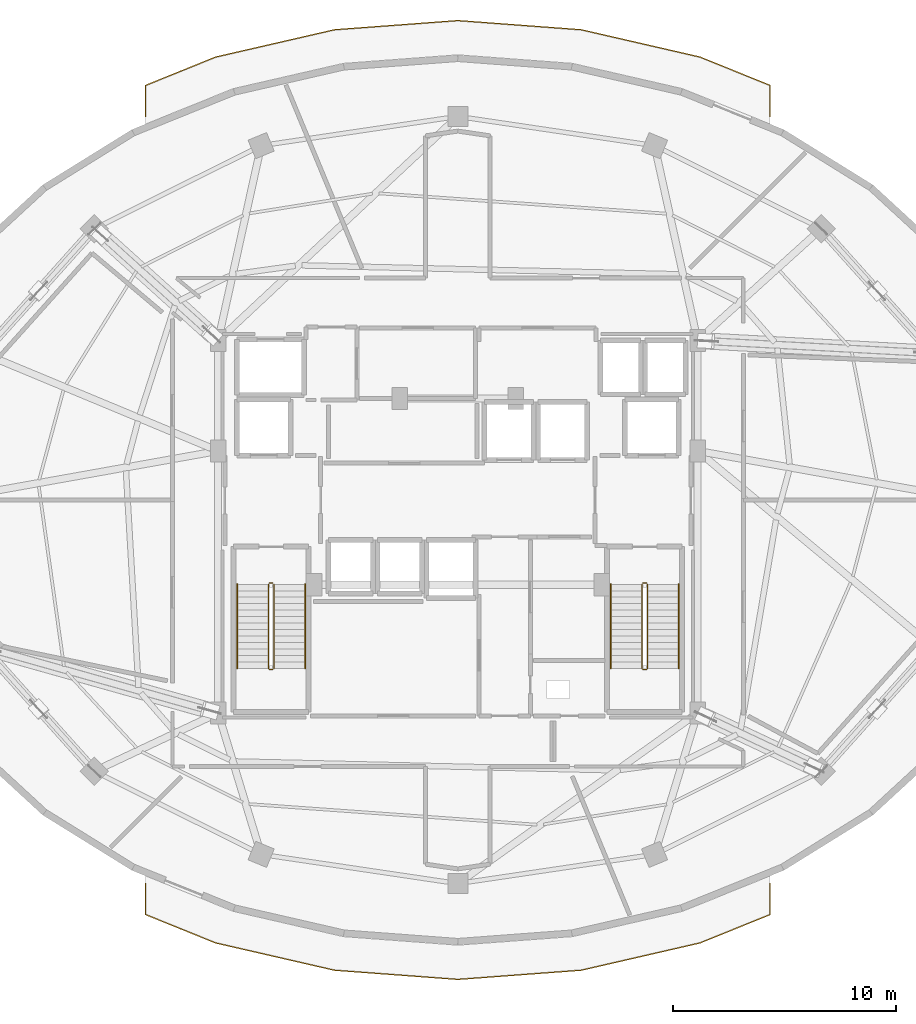
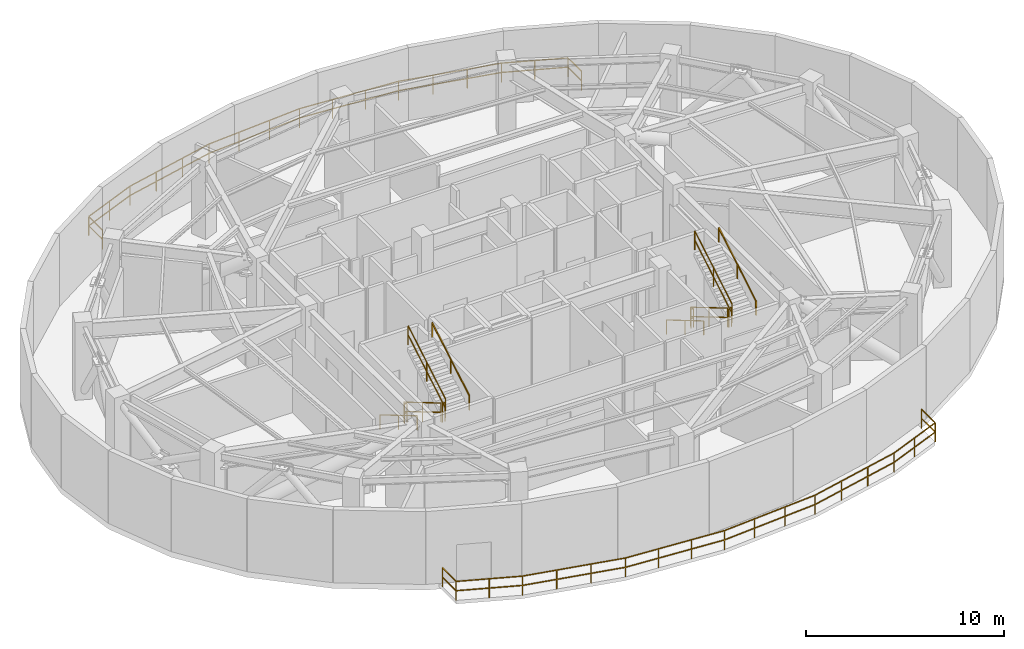
# One storey, part 10 of 10: 16 railings.
"""IFC4 building model written with IfcOpenShell, lengths in metres."""

from ifc_helpers import new_model, si_unit, direction, frame, origin, origin_2d, place, context, subcontext, project, spatial, rectangle, extrude, material, type_object, element, save


model = new_model("IFC4")

# Units and contexts
model_context = context("Model", 3, precision=1e-05, world=origin(), true_north=direction((0.0, 1.0)))
body_context = subcontext(model_context, "Body", "Model", "MODEL_VIEW")
ifc_project = project(units=[si_unit("LENGTHUNIT", "METRE"), si_unit("AREAUNIT", "SQUARE_METRE"), si_unit("VOLUMEUNIT", "CUBIC_METRE"), si_unit("PLANEANGLEUNIT", "RADIAN"), si_unit("MASSUNIT", "GRAM", prefix="KILO")], contexts=[model_context])

# Site, building, storey
site_placement = place(None, origin())
site = spatial("IfcSite", under=ifc_project, at=site_placement, CompositionType="ELEMENT")
building_placement = place(site_placement, origin())
building = spatial("IfcBuilding", under=site, at=building_placement, Name="Vorneva Point Tower", CompositionType="ELEMENT")
storey_placement = place(building_placement, frame((0.0, 0.0, 224.949951171875)))
storey = spatial("IfcBuildingStorey", under=building, at=storey_placement, Name="L61", CompositionType="ELEMENT", Elevation=224.949951171875)

# Railings
ifc_material_1 = material(Name="Pale anodised aluminium", Category="aluminium")
railing_type_1 = type_object("IfcRailingType", Name="RL-BAL-1200", PredefinedType="BALUSTRADE", material=ifc_material_1)
railing_1_placement = place(storey_placement, frame((52.0, 7.40771484375, 0.0)))
element("IfcRailing", 1, at=railing_1_placement, inside=storey, type_object=railing_type_1, Name="L61 Sky-Garden South Guardrail 1", PredefinedType="BALUSTRADE", context=body_context, shape_type="SweptSolid", body=[
    extrude(rectangle(XDim=0.048095703125, YDim=0.048095703125, at=origin_2d()), frame((0.0, 0.0, 1.17578125), z_axis=(0.0, 1.0, 0.0), x_axis=(-1.0, 0.0, 0.0)), (0.0, 0.0, 1.0), 1.39208984375),
    extrude(rectangle(XDim=0.048095703125, YDim=0.048095703125, at=origin_2d()), frame((0.0, 0.0, 0.60009765625), z_axis=(0.0, 1.0, 0.0), x_axis=(-1.0, 0.0, 0.0)), (0.0, 0.0, 1.0), 1.39208984375),
    extrude(rectangle(XDim=0.0419921875, YDim=0.0419921875, at=origin_2d()), origin(), (0.0, 0.0, 1.0), 1.15185546875),
    extrude(rectangle(XDim=0.0419921875, YDim=0.0419921875, at=origin_2d()), frame((0.0, 1.39208984375, 0.0)), (0.0, 0.0, 1.0), 1.15185546875),
])
railing_2_placement = place(storey_placement, frame((24.0, 8.7998046875, 0.0)))
element("IfcRailing", 2, at=railing_2_placement, inside=storey, type_object=railing_type_1, Name="L61 Sky-Garden South Guardrail 2", PredefinedType="BALUSTRADE", context=body_context, shape_type="SweptSolid", body=[
    extrude(rectangle(XDim=0.048095703125, YDim=0.048095703125, at=origin_2d()), frame((0.0, 0.0, 1.17578125), z_axis=(0.0, -1.0, 0.0), x_axis=(1.0, 0.0, 0.0)), (0.0, 0.0, 1.0), 1.39208984375),
    extrude(rectangle(XDim=0.048095703125, YDim=0.048095703125, at=origin_2d()), frame((0.0, 0.0, 0.60009765625), z_axis=(0.0, -1.0, 0.0), x_axis=(1.0, 0.0, 0.0)), (0.0, 0.0, 1.0), 1.39208984375),
    extrude(rectangle(XDim=0.048095703125, YDim=0.048095703125, at=origin_2d()), frame((0.0, -1.39208984375, 1.17578125), z_axis=(0.926917562825, -0.375265015325, 0.0), x_axis=(0.375265015325, 0.926917562825, 0.0)), (0.0, 0.0, 1.0), 3.386962890625),
    extrude(rectangle(XDim=0.048095703125, YDim=0.048095703125, at=origin_2d()), frame((0.0, -1.39208984375, 0.60009765625), z_axis=(0.926917562825, -0.375265015325, 0.0), x_axis=(0.375265015325, 0.926917562825, 0.0)), (0.0, 0.0, 1.0), 3.386962890625),
    extrude(rectangle(XDim=0.048095703125, YDim=0.048095703125, at=origin_2d()), frame((3.139404296875, -2.6630859375, 1.17578125), z_axis=(0.97459041767, -0.223994459273, 0.0), x_axis=(0.223994459273, 0.97459041767, 0.0)), (0.0, 0.0, 1.0), 5.462890625),
    extrude(rectangle(XDim=0.048095703125, YDim=0.048095703125, at=origin_2d()), frame((3.139404296875, -2.6630859375, 0.60009765625), z_axis=(0.97459041767, -0.223994459273, 0.0), x_axis=(0.223994459273, 0.97459041767, 0.0)), (0.0, 0.0, 1.0), 5.462890625),
    extrude(rectangle(XDim=0.048095703125, YDim=0.048095703125, at=origin_2d()), frame((8.46337890625, -3.88671875, 1.17578125), z_axis=(0.997228258867, -0.074402955023, 0.0), x_axis=(0.074402955023, 0.997228258867, 0.0)), (0.0, 0.0, 1.0), 5.552001953125),
    extrude(rectangle(XDim=0.048095703125, YDim=0.048095703125, at=origin_2d()), frame((8.46337890625, -3.88671875, 0.60009765625), z_axis=(0.997228258867, -0.074402955023, 0.0), x_axis=(0.074402955023, 0.997228258867, 0.0)), (0.0, 0.0, 1.0), 5.552001953125),
    extrude(rectangle(XDim=0.048095703125, YDim=0.048095703125, at=origin_2d()), frame((14.0, -4.2998046875, 1.17578125), z_axis=(0.997228258867, 0.074402955023, 0.0), x_axis=(-0.074402955023, 0.997228258867, 0.0)), (0.0, 0.0, 1.0), 5.552001953125),
    extrude(rectangle(XDim=0.048095703125, YDim=0.048095703125, at=origin_2d()), frame((14.0, -4.2998046875, 0.60009765625), z_axis=(0.997228258867, 0.074402955023, 0.0), x_axis=(-0.074402955023, 0.997228258867, 0.0)), (0.0, 0.0, 1.0), 5.552001953125),
    extrude(rectangle(XDim=0.048095703125, YDim=0.048095703125, at=origin_2d()), frame((19.53662109375, -3.88671875, 1.17578125), z_axis=(0.97459041767, 0.223994459273, 0.0), x_axis=(-0.223994459273, 0.97459041767, 0.0)), (0.0, 0.0, 1.0), 5.462890625),
    extrude(rectangle(XDim=0.048095703125, YDim=0.048095703125, at=origin_2d()), frame((19.53662109375, -3.88671875, 0.60009765625), z_axis=(0.97459041767, 0.223994459273, 0.0), x_axis=(-0.223994459273, 0.97459041767, 0.0)), (0.0, 0.0, 1.0), 5.462890625),
    extrude(rectangle(XDim=0.048095703125, YDim=0.048095703125, at=origin_2d()), frame((24.860595703125, -2.6630859375, 1.17578125), z_axis=(0.926917562825, 0.375265015325, 0.0), x_axis=(-0.375265015325, 0.926917562825, 0.0)), (0.0, 0.0, 1.0), 3.386962890625),
    extrude(rectangle(XDim=0.048095703125, YDim=0.048095703125, at=origin_2d()), frame((24.860595703125, -2.6630859375, 0.60009765625), z_axis=(0.926917562825, 0.375265015325, 0.0), x_axis=(-0.375265015325, 0.926917562825, 0.0)), (0.0, 0.0, 1.0), 3.386962890625),
    extrude(rectangle(XDim=0.0419921875, YDim=0.0419921875, at=origin_2d()), origin(), (0.0, 0.0, 1.0), 1.15185546875),
    extrude(rectangle(XDim=0.0419921875, YDim=0.0419921875, at=origin_2d()), frame((0.0, -1.39208984375, 0.0)), (0.0, 0.0, 1.0), 1.15185546875),
    extrude(rectangle(XDim=0.0419921875, YDim=0.0419921875, at=origin_2d()), frame((1.56982421875, -2.027587890625, 0.0)), (0.0, 0.0, 1.0), 1.15185546875),
    extrude(rectangle(XDim=0.0419921875, YDim=0.0419921875, at=origin_2d()), frame((3.139404296875, -2.6630859375, 0.0)), (0.0, 0.0, 1.0), 1.15185546875),
    extrude(rectangle(XDim=0.0419921875, YDim=0.0419921875, at=origin_2d()), frame((4.9140625, -3.071044921875, 0.0)), (0.0, 0.0, 1.0), 1.15185546875),
    extrude(rectangle(XDim=0.0419921875, YDim=0.0419921875, at=origin_2d()), frame((6.688720703125, -3.478759765625, 0.0)), (0.0, 0.0, 1.0), 1.15185546875),
    extrude(rectangle(XDim=0.0419921875, YDim=0.0419921875, at=origin_2d()), frame((8.46337890625, -3.88671875, 0.0)), (0.0, 0.0, 1.0), 1.15185546875),
    extrude(rectangle(XDim=0.0419921875, YDim=0.0419921875, at=origin_2d()), frame((10.308837890625, -4.0244140625, 0.0)), (0.0, 0.0, 1.0), 1.15185546875),
    extrude(rectangle(XDim=0.0419921875, YDim=0.0419921875, at=origin_2d()), frame((12.154541015625, -4.162109375, 0.0)), (0.0, 0.0, 1.0), 1.15185546875),
    extrude(rectangle(XDim=0.0419921875, YDim=0.0419921875, at=origin_2d()), frame((14.0, -4.2998046875, 0.0)), (0.0, 0.0, 1.0), 1.15185546875),
    extrude(rectangle(XDim=0.0419921875, YDim=0.0419921875, at=origin_2d()), frame((15.845458984375, -4.162109375, 0.0)), (0.0, 0.0, 1.0), 1.15185546875),
    extrude(rectangle(XDim=0.0419921875, YDim=0.0419921875, at=origin_2d()), frame((17.691162109375, -4.0244140625, 0.0)), (0.0, 0.0, 1.0), 1.15185546875),
    extrude(rectangle(XDim=0.0419921875, YDim=0.0419921875, at=origin_2d()), frame((19.53662109375, -3.88671875, 0.0)), (0.0, 0.0, 1.0), 1.15185546875),
    extrude(rectangle(XDim=0.0419921875, YDim=0.0419921875, at=origin_2d()), frame((21.311279296875, -3.478759765625, 0.0)), (0.0, 0.0, 1.0), 1.15185546875),
    extrude(rectangle(XDim=0.0419921875, YDim=0.0419921875, at=origin_2d()), frame((23.0859375, -3.071044921875, 0.0)), (0.0, 0.0, 1.0), 1.15185546875),
    extrude(rectangle(XDim=0.0419921875, YDim=0.0419921875, at=origin_2d()), frame((24.860595703125, -2.6630859375, 0.0)), (0.0, 0.0, 1.0), 1.15185546875),
    extrude(rectangle(XDim=0.0419921875, YDim=0.0419921875, at=origin_2d()), frame((26.43017578125, -2.027587890625, 0.0)), (0.0, 0.0, 1.0), 1.15185546875),
    extrude(rectangle(XDim=0.0419921875, YDim=0.0419921875, at=origin_2d()), frame((28.0, -1.39208984375, 0.0)), (0.0, 0.0, 1.0), 1.15185546875),
])
railing_3_placement = place(storey_placement, frame((24.0, 44.59228515625, 0.0)))
element("IfcRailing", 3, at=railing_3_placement, inside=storey, type_object=railing_type_1, Name="L61 Sky-Garden North Guardrail 1", PredefinedType="BALUSTRADE", context=body_context, shape_type="SweptSolid", body=[
    extrude(rectangle(XDim=0.048095703125, YDim=0.048095703125, at=origin_2d()), frame((0.0, 0.0, 1.17578125), z_axis=(0.0, -1.0, 0.0), x_axis=(1.0, 0.0, 0.0)), (0.0, 0.0, 1.0), 1.39208984375),
    extrude(rectangle(XDim=0.048095703125, YDim=0.048095703125, at=origin_2d()), frame((0.0, 0.0, 0.60009765625), z_axis=(0.0, -1.0, 0.0), x_axis=(1.0, 0.0, 0.0)), (0.0, 0.0, 1.0), 1.39208984375),
    extrude(rectangle(XDim=0.0419921875, YDim=0.0419921875, at=origin_2d()), origin(), (0.0, 0.0, 1.0), 1.15185546875),
    extrude(rectangle(XDim=0.0419921875, YDim=0.0419921875, at=origin_2d()), frame((0.0, -1.39208984375, 0.0)), (0.0, 0.0, 1.0), 1.15185546875),
])
railing_4_placement = place(storey_placement, frame((52.0, 43.2001953125, 0.0)))
element("IfcRailing", 4, at=railing_4_placement, inside=storey, type_object=railing_type_1, Name="L61 Sky-Garden North Guardrail 2", PredefinedType="BALUSTRADE", context=body_context, shape_type="SweptSolid", body=[
    extrude(rectangle(XDim=0.048095703125, YDim=0.048095703125, at=origin_2d()), frame((0.0, 0.0, 1.17578125), z_axis=(0.0, 1.0, 0.0), x_axis=(-1.0, 0.0, 0.0)), (0.0, 0.0, 1.0), 1.39208984375),
    extrude(rectangle(XDim=0.048095703125, YDim=0.048095703125, at=origin_2d()), frame((0.0, 0.0, 0.60009765625), z_axis=(0.0, 1.0, 0.0), x_axis=(-1.0, 0.0, 0.0)), (0.0, 0.0, 1.0), 1.39208984375),
    extrude(rectangle(XDim=0.048095703125, YDim=0.048095703125, at=origin_2d()), frame((0.0, 1.39208984375, 1.17578125), z_axis=(-0.926917562825, 0.375265015325, 0.0), x_axis=(-0.375265015325, -0.926917562825, 0.0)), (0.0, 0.0, 1.0), 3.386962890625),
    extrude(rectangle(XDim=0.048095703125, YDim=0.048095703125, at=origin_2d()), frame((0.0, 1.39208984375, 0.60009765625), z_axis=(-0.926917562825, 0.375265015325, 0.0), x_axis=(-0.375265015325, -0.926917562825, 0.0)), (0.0, 0.0, 1.0), 3.386962890625),
    extrude(rectangle(XDim=0.048095703125, YDim=0.048095703125, at=origin_2d()), frame((-3.139404296875, 2.6630859375, 1.17578125), z_axis=(-0.97459041767, 0.223994459273, 0.0), x_axis=(-0.223994459273, -0.97459041767, 0.0)), (0.0, 0.0, 1.0), 5.462890625),
    extrude(rectangle(XDim=0.048095703125, YDim=0.048095703125, at=origin_2d()), frame((-3.139404296875, 2.6630859375, 0.60009765625), z_axis=(-0.97459041767, 0.223994459273, 0.0), x_axis=(-0.223994459273, -0.97459041767, 0.0)), (0.0, 0.0, 1.0), 5.462890625),
    extrude(rectangle(XDim=0.048095703125, YDim=0.048095703125, at=origin_2d()), frame((-8.46337890625, 3.88671875, 1.17578125), z_axis=(-0.997228258867, 0.074402955023, 0.0), x_axis=(-0.074402955023, -0.997228258867, 0.0)), (0.0, 0.0, 1.0), 5.552001953125),
    extrude(rectangle(XDim=0.048095703125, YDim=0.048095703125, at=origin_2d()), frame((-8.46337890625, 3.88671875, 0.60009765625), z_axis=(-0.997228258867, 0.074402955023, 0.0), x_axis=(-0.074402955023, -0.997228258867, 0.0)), (0.0, 0.0, 1.0), 5.552001953125),
    extrude(rectangle(XDim=0.048095703125, YDim=0.048095703125, at=origin_2d()), frame((-14.0, 4.2998046875, 1.17578125), z_axis=(-0.997228258867, -0.074402955023, 0.0), x_axis=(0.074402955023, -0.997228258867, 0.0)), (0.0, 0.0, 1.0), 5.552001953125),
    extrude(rectangle(XDim=0.048095703125, YDim=0.048095703125, at=origin_2d()), frame((-14.0, 4.2998046875, 0.60009765625), z_axis=(-0.997228258867, -0.074402955023, 0.0), x_axis=(0.074402955023, -0.997228258867, 0.0)), (0.0, 0.0, 1.0), 5.552001953125),
    extrude(rectangle(XDim=0.048095703125, YDim=0.048095703125, at=origin_2d()), frame((-19.53662109375, 3.88671875, 1.17578125), z_axis=(-0.97459041767, -0.223994459273, 0.0), x_axis=(0.223994459273, -0.97459041767, 0.0)), (0.0, 0.0, 1.0), 5.462890625),
    extrude(rectangle(XDim=0.048095703125, YDim=0.048095703125, at=origin_2d()), frame((-19.53662109375, 3.88671875, 0.60009765625), z_axis=(-0.97459041767, -0.223994459273, 0.0), x_axis=(0.223994459273, -0.97459041767, 0.0)), (0.0, 0.0, 1.0), 5.462890625),
    extrude(rectangle(XDim=0.048095703125, YDim=0.048095703125, at=origin_2d()), frame((-24.860595703125, 2.6630859375, 1.17578125), z_axis=(-0.926917562825, -0.375265015325, 0.0), x_axis=(0.375265015325, -0.926917562825, 0.0)), (0.0, 0.0, 1.0), 3.386962890625),
    extrude(rectangle(XDim=0.048095703125, YDim=0.048095703125, at=origin_2d()), frame((-24.860595703125, 2.6630859375, 0.60009765625), z_axis=(-0.926917562825, -0.375265015325, 0.0), x_axis=(0.375265015325, -0.926917562825, 0.0)), (0.0, 0.0, 1.0), 3.386962890625),
    extrude(rectangle(XDim=0.0419921875, YDim=0.0419921875, at=origin_2d()), origin(), (0.0, 0.0, 1.0), 1.15185546875),
    extrude(rectangle(XDim=0.0419921875, YDim=0.0419921875, at=origin_2d()), frame((0.0, 1.39208984375, 0.0)), (0.0, 0.0, 1.0), 1.15185546875),
    extrude(rectangle(XDim=0.0419921875, YDim=0.0419921875, at=origin_2d()), frame((-1.56982421875, 2.027587890625, 0.0)), (0.0, 0.0, 1.0), 1.15185546875),
    extrude(rectangle(XDim=0.0419921875, YDim=0.0419921875, at=origin_2d()), frame((-3.139404296875, 2.6630859375, 0.0)), (0.0, 0.0, 1.0), 1.15185546875),
    extrude(rectangle(XDim=0.0419921875, YDim=0.0419921875, at=origin_2d()), frame((-4.9140625, 3.071044921875, 0.0)), (0.0, 0.0, 1.0), 1.15185546875),
    extrude(rectangle(XDim=0.0419921875, YDim=0.0419921875, at=origin_2d()), frame((-6.688720703125, 3.478759765625, 0.0)), (0.0, 0.0, 1.0), 1.15185546875),
    extrude(rectangle(XDim=0.0419921875, YDim=0.0419921875, at=origin_2d()), frame((-8.46337890625, 3.88671875, 0.0)), (0.0, 0.0, 1.0), 1.15185546875),
    extrude(rectangle(XDim=0.0419921875, YDim=0.0419921875, at=origin_2d()), frame((-10.308837890625, 4.0244140625, 0.0)), (0.0, 0.0, 1.0), 1.15185546875),
    extrude(rectangle(XDim=0.0419921875, YDim=0.0419921875, at=origin_2d()), frame((-12.154541015625, 4.162109375, 0.0)), (0.0, 0.0, 1.0), 1.15185546875),
    extrude(rectangle(XDim=0.0419921875, YDim=0.0419921875, at=origin_2d()), frame((-14.0, 4.2998046875, 0.0)), (0.0, 0.0, 1.0), 1.15185546875),
    extrude(rectangle(XDim=0.0419921875, YDim=0.0419921875, at=origin_2d()), frame((-15.845458984375, 4.162109375, 0.0)), (0.0, 0.0, 1.0), 1.15185546875),
    extrude(rectangle(XDim=0.0419921875, YDim=0.0419921875, at=origin_2d()), frame((-17.691162109375, 4.0244140625, 0.0)), (0.0, 0.0, 1.0), 1.15185546875),
    extrude(rectangle(XDim=0.0419921875, YDim=0.0419921875, at=origin_2d()), frame((-19.53662109375, 3.88671875, 0.0)), (0.0, 0.0, 1.0), 1.15185546875),
    extrude(rectangle(XDim=0.0419921875, YDim=0.0419921875, at=origin_2d()), frame((-21.311279296875, 3.478759765625, 0.0)), (0.0, 0.0, 1.0), 1.15185546875),
    extrude(rectangle(XDim=0.0419921875, YDim=0.0419921875, at=origin_2d()), frame((-23.0859375, 3.071044921875, 0.0)), (0.0, 0.0, 1.0), 1.15185546875),
    extrude(rectangle(XDim=0.0419921875, YDim=0.0419921875, at=origin_2d()), frame((-24.860595703125, 2.6630859375, 0.0)), (0.0, 0.0, 1.0), 1.15185546875),
    extrude(rectangle(XDim=0.0419921875, YDim=0.0419921875, at=origin_2d()), frame((-26.43017578125, 2.027587890625, 0.0)), (0.0, 0.0, 1.0), 1.15185546875),
    extrude(rectangle(XDim=0.0419921875, YDim=0.0419921875, at=origin_2d()), frame((-28.0, 1.39208984375, 0.0)), (0.0, 0.0, 1.0), 1.15185546875),
])
ifc_material_2 = material(Name="Brushed stainless steel S304", Category="steel")
railing_type_2 = type_object("IfcRailingType", Name="RL-HND-920", PredefinedType="HANDRAIL", material=ifc_material_2)
railing_5_placement = place(storey_placement, frame((28.10009765625, 22.219970703125, 0.17138671875)))
element("IfcRailing", 5, at=railing_5_placement, inside=storey, type_object=railing_type_2, Name="L61 ST1 stair handrail 1", PredefinedType="HANDRAIL", context=body_context, shape_type="SweptSolid", body=[
    extrude(rectangle(XDim=0.048095703125, YDim=0.048095703125, at=origin_2d()), frame((0.0, 0.0, 0.8759765625), z_axis=(0.0, -0.860824410104, 0.508902087802), x_axis=(1.0, 0.0, 0.0)), (0.0, 0.0, 1.0), 4.379638671875),
    extrude(rectangle(XDim=0.0419921875, YDim=0.0419921875, at=origin_2d()), origin(), (0.0, 0.0, 1.0), 0.851806640625),
    extrude(rectangle(XDim=0.0419921875, YDim=0.0419921875, at=origin_2d()), frame((0.0, -1.885009765625, 1.1142578125)), (0.0, 0.0, 1.0), 0.851806640625),
    extrude(rectangle(XDim=0.0419921875, YDim=0.0419921875, at=origin_2d()), frame((0.0, -3.77001953125, 2.228759765625)), (0.0, 0.0, 1.0), 0.851806640625),
])
railing_6_placement = place(storey_placement, frame((31.14990234375, 18.449951171875, 2.571533203125)))
element("IfcRailing", 6, at=railing_6_placement, inside=storey, type_object=railing_type_2, Name="L61 ST1 stair handrail 2", PredefinedType="HANDRAIL", context=body_context, shape_type="SweptSolid", body=[
    extrude(rectangle(XDim=0.048095703125, YDim=0.048095703125, at=origin_2d()), frame((0.0, 0.0, 0.8759765625), z_axis=(0.0, 0.860848830602, 0.508860777473), x_axis=(-1.0, 0.0, 0.0)), (0.0, 0.0, 1.0), 4.37939453125),
    extrude(rectangle(XDim=0.0419921875, YDim=0.0419921875, at=origin_2d()), origin(), (0.0, 0.0, 1.0), 0.851806640625),
    extrude(rectangle(XDim=0.0419921875, YDim=0.0419921875, at=origin_2d()), frame((0.0, 1.885009765625, 1.1142578125)), (0.0, 0.0, 1.0), 0.851806640625),
    extrude(rectangle(XDim=0.0419921875, YDim=0.0419921875, at=origin_2d()), frame((0.0, 3.77001953125, 2.228515625)), (0.0, 0.0, 1.0), 0.851806640625),
])
railing_7_placement = place(storey_placement, frame((44.85009765625, 22.219970703125, 0.17138671875)))
element("IfcRailing", 7, at=railing_7_placement, inside=storey, type_object=railing_type_2, Name="L61 ST2 stair handrail 1", PredefinedType="HANDRAIL", context=body_context, shape_type="SweptSolid", body=[
    extrude(rectangle(XDim=0.048095703125, YDim=0.048095703125, at=origin_2d()), frame((0.0, 0.0, 0.8759765625), z_axis=(0.0, -0.860824410104, 0.508902087802), x_axis=(1.0, 0.0, 0.0)), (0.0, 0.0, 1.0), 4.379638671875),
    extrude(rectangle(XDim=0.0419921875, YDim=0.0419921875, at=origin_2d()), origin(), (0.0, 0.0, 1.0), 0.851806640625),
    extrude(rectangle(XDim=0.0419921875, YDim=0.0419921875, at=origin_2d()), frame((0.0, -1.885009765625, 1.1142578125)), (0.0, 0.0, 1.0), 0.851806640625),
    extrude(rectangle(XDim=0.0419921875, YDim=0.0419921875, at=origin_2d()), frame((0.0, -3.77001953125, 2.228759765625)), (0.0, 0.0, 1.0), 0.851806640625),
])
railing_8_placement = place(storey_placement, frame((47.89990234375, 18.449951171875, 2.571533203125)))
element("IfcRailing", 8, at=railing_8_placement, inside=storey, type_object=railing_type_2, Name="L61 ST2 stair handrail 2", PredefinedType="HANDRAIL", context=body_context, shape_type="SweptSolid", body=[
    extrude(rectangle(XDim=0.048095703125, YDim=0.048095703125, at=origin_2d()), frame((0.0, 0.0, 0.8759765625), z_axis=(0.0, 0.860848830602, 0.508860777473), x_axis=(-1.0, 0.0, 0.0)), (0.0, 0.0, 1.0), 4.37939453125),
    extrude(rectangle(XDim=0.0419921875, YDim=0.0419921875, at=origin_2d()), origin(), (0.0, 0.0, 1.0), 0.851806640625),
    extrude(rectangle(XDim=0.0419921875, YDim=0.0419921875, at=origin_2d()), frame((0.0, 1.885009765625, 1.1142578125)), (0.0, 0.0, 1.0), 0.851806640625),
    extrude(rectangle(XDim=0.0419921875, YDim=0.0419921875, at=origin_2d()), frame((0.0, 3.77001953125, 2.228515625)), (0.0, 0.0, 1.0), 0.851806640625),
])
railing_type_3 = type_object("IfcRailingType", Name="RL-STG-1100", PredefinedType="GUARDRAIL", material=ifc_material_2)
railing_9_placement = place(storey_placement, frame((29.5, 22.219970703125, 0.17138671875)))
element("IfcRailing", 9, at=railing_9_placement, inside=storey, type_object=railing_type_3, Name="L61 ST1 stair guard 1", PredefinedType="GUARDRAIL", context=body_context, shape_type="SweptSolid", body=[
    extrude(rectangle(XDim=0.048095703125, YDim=0.048095703125, at=origin_2d()), frame((0.0, 0.0, 1.17578125), z_axis=(0.0, -0.860824410104, 0.508902087802), x_axis=(1.0, 0.0, 0.0)), (0.0, 0.0, 1.0), 4.379638671875),
    extrude(rectangle(XDim=0.048095703125, YDim=0.048095703125, at=origin_2d()), frame((0.0, 0.0, 0.60009765625), z_axis=(0.0, -0.860824410104, 0.508902087802), x_axis=(1.0, 0.0, 0.0)), (0.0, 0.0, 1.0), 4.379638671875),
    extrude(rectangle(XDim=0.0419921875, YDim=0.0419921875, at=origin_2d()), origin(), (0.0, 0.0, 1.0), 1.15185546875),
    extrude(rectangle(XDim=0.0419921875, YDim=0.0419921875, at=origin_2d()), frame((0.0, -1.885009765625, 1.1142578125)), (0.0, 0.0, 1.0), 1.15185546875),
    extrude(rectangle(XDim=0.0419921875, YDim=0.0419921875, at=origin_2d()), frame((0.0, -3.77001953125, 2.228759765625)), (0.0, 0.0, 1.0), 1.15185546875),
])
railing_10_placement = place(storey_placement, frame((29.550048828125, 18.39990234375, 2.400146484375)))
element("IfcRailing", 10, at=railing_10_placement, inside=storey, type_object=railing_type_3, Name="L61 ST1 stair guard 2", PredefinedType="GUARDRAIL", context=body_context, shape_type="SweptSolid", body=[
    extrude(rectangle(XDim=0.048095703125, YDim=0.048095703125, at=origin_2d()), frame((0.0, 0.0, 1.17578125), z_axis=(1.0, 0.0, 0.0), x_axis=(0.0, 1.0, 0.0)), (0.0, 0.0, 1.0), 0.14990234375),
    extrude(rectangle(XDim=0.048095703125, YDim=0.048095703125, at=origin_2d()), frame((0.0, 0.0, 0.60009765625), z_axis=(1.0, 0.0, 0.0), x_axis=(0.0, 1.0, 0.0)), (0.0, 0.0, 1.0), 0.14990234375),
    extrude(rectangle(XDim=0.0419921875, YDim=0.0419921875, at=origin_2d()), origin(), (0.0, 0.0, 1.0), 1.15185546875),
    extrude(rectangle(XDim=0.0419921875, YDim=0.0419921875, at=origin_2d()), frame((0.14990234375, 0.0, 0.0)), (0.0, 0.0, 1.0), 1.15185546875),
])
railing_11_placement = place(storey_placement, frame((29.75, 18.449951171875, 2.571533203125)))
element("IfcRailing", 11, at=railing_11_placement, inside=storey, type_object=railing_type_3, Name="L61 ST1 stair guard 3", PredefinedType="GUARDRAIL", context=body_context, shape_type="SweptSolid", body=[
    extrude(rectangle(XDim=0.048095703125, YDim=0.048095703125, at=origin_2d()), frame((0.0, 0.0, 1.17578125), z_axis=(0.0, 0.860848830602, 0.508860777473), x_axis=(-1.0, 0.0, 0.0)), (0.0, 0.0, 1.0), 4.37939453125),
    extrude(rectangle(XDim=0.048095703125, YDim=0.048095703125, at=origin_2d()), frame((0.0, 0.0, 0.60009765625), z_axis=(0.0, 0.860848830602, 0.508860777473), x_axis=(-1.0, 0.0, 0.0)), (0.0, 0.0, 1.0), 4.37939453125),
    extrude(rectangle(XDim=0.0419921875, YDim=0.0419921875, at=origin_2d()), origin(), (0.0, 0.0, 1.0), 1.15185546875),
    extrude(rectangle(XDim=0.0419921875, YDim=0.0419921875, at=origin_2d()), frame((0.0, 1.885009765625, 1.1142578125)), (0.0, 0.0, 1.0), 1.15185546875),
    extrude(rectangle(XDim=0.0419921875, YDim=0.0419921875, at=origin_2d()), frame((0.0, 3.77001953125, 2.228515625)), (0.0, 0.0, 1.0), 1.15185546875),
])
railing_12_placement = place(storey_placement, frame((29.550048828125, 22.27001953125, 0.0)))
element("IfcRailing", 12, at=railing_12_placement, inside=storey, type_object=railing_type_3, Name="L61 ST1 stair guard 4", PredefinedType="GUARDRAIL", context=body_context, shape_type="SweptSolid", body=[
    extrude(rectangle(XDim=0.048095703125, YDim=0.048095703125, at=origin_2d()), frame((0.0, 0.0, 1.17578125), z_axis=(1.0, 0.0, 0.0), x_axis=(0.0, 1.0, 0.0)), (0.0, 0.0, 1.0), 0.14990234375),
    extrude(rectangle(XDim=0.048095703125, YDim=0.048095703125, at=origin_2d()), frame((0.0, 0.0, 0.60009765625), z_axis=(1.0, 0.0, 0.0), x_axis=(0.0, 1.0, 0.0)), (0.0, 0.0, 1.0), 0.14990234375),
    extrude(rectangle(XDim=0.0419921875, YDim=0.0419921875, at=origin_2d()), origin(), (0.0, 0.0, 1.0), 1.15185546875),
    extrude(rectangle(XDim=0.0419921875, YDim=0.0419921875, at=origin_2d()), frame((0.14990234375, 0.0, 0.0)), (0.0, 0.0, 1.0), 1.15185546875),
])
railing_13_placement = place(storey_placement, frame((46.25, 22.219970703125, 0.17138671875)))
element("IfcRailing", 13, at=railing_13_placement, inside=storey, type_object=railing_type_3, Name="L61 ST2 stair guard 1", PredefinedType="GUARDRAIL", context=body_context, shape_type="SweptSolid", body=[
    extrude(rectangle(XDim=0.048095703125, YDim=0.048095703125, at=origin_2d()), frame((0.0, 0.0, 1.17578125), z_axis=(0.0, -0.860824410104, 0.508902087802), x_axis=(1.0, 0.0, 0.0)), (0.0, 0.0, 1.0), 4.379638671875),
    extrude(rectangle(XDim=0.048095703125, YDim=0.048095703125, at=origin_2d()), frame((0.0, 0.0, 0.60009765625), z_axis=(0.0, -0.860824410104, 0.508902087802), x_axis=(1.0, 0.0, 0.0)), (0.0, 0.0, 1.0), 4.379638671875),
    extrude(rectangle(XDim=0.0419921875, YDim=0.0419921875, at=origin_2d()), origin(), (0.0, 0.0, 1.0), 1.15185546875),
    extrude(rectangle(XDim=0.0419921875, YDim=0.0419921875, at=origin_2d()), frame((0.0, -1.885009765625, 1.1142578125)), (0.0, 0.0, 1.0), 1.15185546875),
    extrude(rectangle(XDim=0.0419921875, YDim=0.0419921875, at=origin_2d()), frame((0.0, -3.77001953125, 2.228759765625)), (0.0, 0.0, 1.0), 1.15185546875),
])
railing_14_placement = place(storey_placement, frame((46.300048828125, 18.39990234375, 2.400146484375)))
element("IfcRailing", 14, at=railing_14_placement, inside=storey, type_object=railing_type_3, Name="L61 ST2 stair guard 2", PredefinedType="GUARDRAIL", context=body_context, shape_type="SweptSolid", body=[
    extrude(rectangle(XDim=0.048095703125, YDim=0.048095703125, at=origin_2d()), frame((0.0, 0.0, 1.17578125), z_axis=(1.0, 0.0, 0.0), x_axis=(0.0, 1.0, 0.0)), (0.0, 0.0, 1.0), 0.14990234375),
    extrude(rectangle(XDim=0.048095703125, YDim=0.048095703125, at=origin_2d()), frame((0.0, 0.0, 0.60009765625), z_axis=(1.0, 0.0, 0.0), x_axis=(0.0, 1.0, 0.0)), (0.0, 0.0, 1.0), 0.14990234375),
    extrude(rectangle(XDim=0.0419921875, YDim=0.0419921875, at=origin_2d()), origin(), (0.0, 0.0, 1.0), 1.15185546875),
    extrude(rectangle(XDim=0.0419921875, YDim=0.0419921875, at=origin_2d()), frame((0.14990234375, 0.0, 0.0)), (0.0, 0.0, 1.0), 1.15185546875),
])
railing_15_placement = place(storey_placement, frame((46.5, 18.449951171875, 2.571533203125)))
element("IfcRailing", 15, at=railing_15_placement, inside=storey, type_object=railing_type_3, Name="L61 ST2 stair guard 3", PredefinedType="GUARDRAIL", context=body_context, shape_type="SweptSolid", body=[
    extrude(rectangle(XDim=0.048095703125, YDim=0.048095703125, at=origin_2d()), frame((0.0, 0.0, 1.17578125), z_axis=(0.0, 0.860848830602, 0.508860777473), x_axis=(-1.0, 0.0, 0.0)), (0.0, 0.0, 1.0), 4.37939453125),
    extrude(rectangle(XDim=0.048095703125, YDim=0.048095703125, at=origin_2d()), frame((0.0, 0.0, 0.60009765625), z_axis=(0.0, 0.860848830602, 0.508860777473), x_axis=(-1.0, 0.0, 0.0)), (0.0, 0.0, 1.0), 4.37939453125),
    extrude(rectangle(XDim=0.0419921875, YDim=0.0419921875, at=origin_2d()), origin(), (0.0, 0.0, 1.0), 1.15185546875),
    extrude(rectangle(XDim=0.0419921875, YDim=0.0419921875, at=origin_2d()), frame((0.0, 1.885009765625, 1.1142578125)), (0.0, 0.0, 1.0), 1.15185546875),
    extrude(rectangle(XDim=0.0419921875, YDim=0.0419921875, at=origin_2d()), frame((0.0, 3.77001953125, 2.228515625)), (0.0, 0.0, 1.0), 1.15185546875),
])
railing_16_placement = place(storey_placement, frame((46.300048828125, 22.27001953125, 0.0)))
element("IfcRailing", 16, at=railing_16_placement, inside=storey, type_object=railing_type_3, Name="L61 ST2 stair guard 4", PredefinedType="GUARDRAIL", context=body_context, shape_type="SweptSolid", body=[
    extrude(rectangle(XDim=0.048095703125, YDim=0.048095703125, at=origin_2d()), frame((0.0, 0.0, 1.17578125), z_axis=(1.0, 0.0, 0.0), x_axis=(0.0, 1.0, 0.0)), (0.0, 0.0, 1.0), 0.14990234375),
    extrude(rectangle(XDim=0.048095703125, YDim=0.048095703125, at=origin_2d()), frame((0.0, 0.0, 0.60009765625), z_axis=(1.0, 0.0, 0.0), x_axis=(0.0, 1.0, 0.0)), (0.0, 0.0, 1.0), 0.14990234375),
    extrude(rectangle(XDim=0.0419921875, YDim=0.0419921875, at=origin_2d()), origin(), (0.0, 0.0, 1.0), 1.15185546875),
    extrude(rectangle(XDim=0.0419921875, YDim=0.0419921875, at=origin_2d()), frame((0.14990234375, 0.0, 0.0)), (0.0, 0.0, 1.0), 1.15185546875),
])

save(model, "model.ifc")
